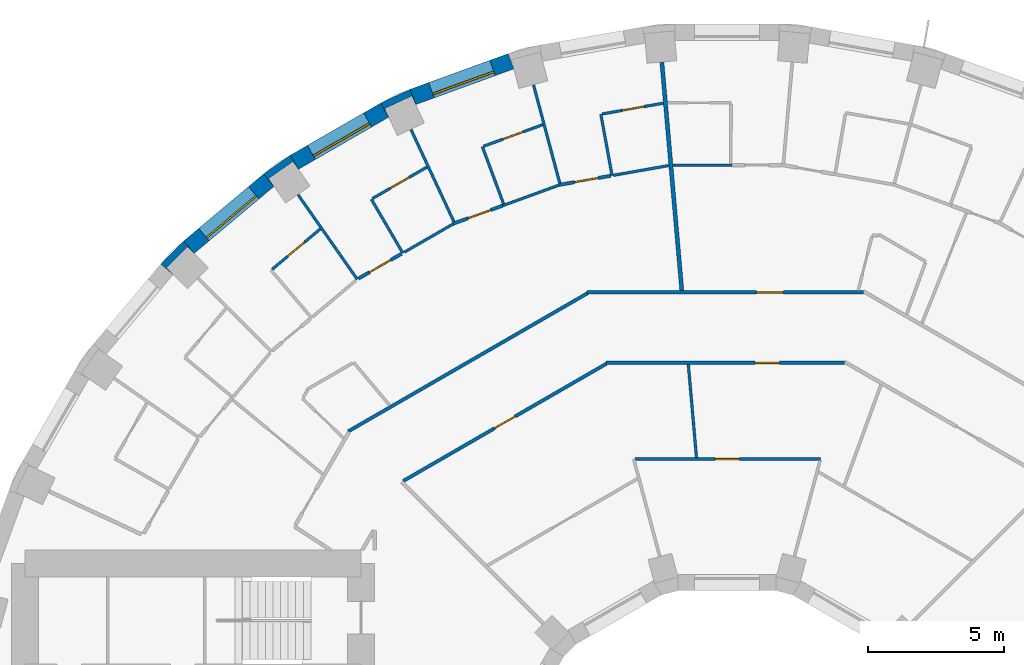
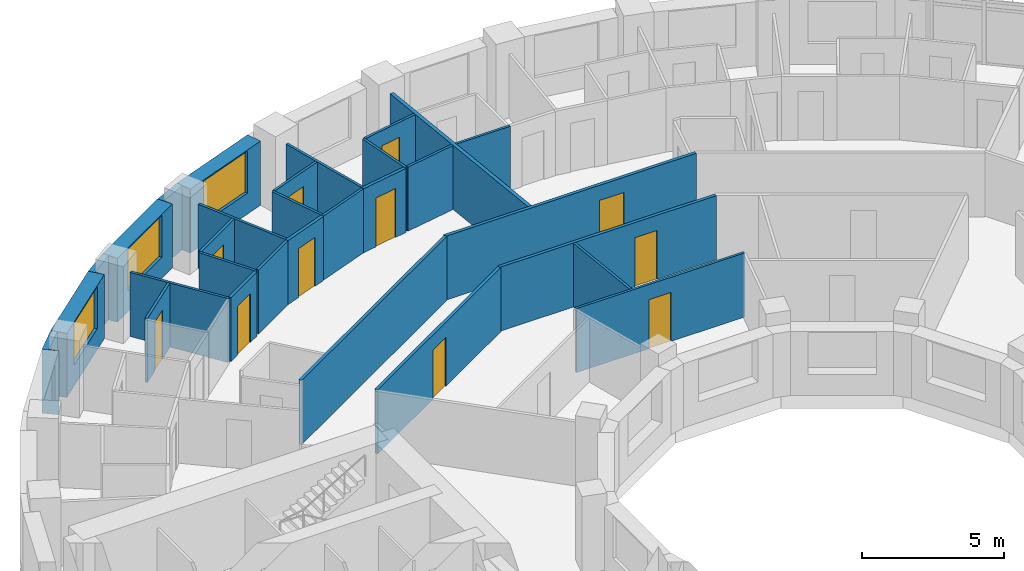
# One storey, part 11 of 15: 30 walls, 11 doors, 3 windows, 14 openings.
"""IFC4 building model written with IfcOpenShell, lengths in metres."""

from ifc_helpers import new_model, si_unit, direction, frame, frame_2d, origin, place, context, subcontext, project, spatial, polyline, rectangle, outline, extrude, material, layer, layer_set, type_object, element, fill, save


model = new_model("IFC4")

# Units and contexts
model_context = context("Model", 3, precision=1e-05, world=origin(), true_north=direction((0.0, 1.0)))
body_context = subcontext(model_context, "Body", "Model", "MODEL_VIEW")
ifc_project = project(units=[si_unit("LENGTHUNIT", "METRE"), si_unit("AREAUNIT", "SQUARE_METRE"), si_unit("VOLUMEUNIT", "CUBIC_METRE"), si_unit("PLANEANGLEUNIT", "RADIAN"), si_unit("MASSUNIT", "GRAM", prefix="KILO")], contexts=[model_context])

# Site, building, storey
site_placement = place(None, origin())
site = spatial("IfcSite", under=ifc_project, at=site_placement, CompositionType="ELEMENT")
building_placement = place(site_placement, origin())
building = spatial("IfcBuilding", under=site, at=building_placement, Name="Saqina Gate Tower", CompositionType="ELEMENT")
storey_placement = place(building_placement, frame((0.0, 0.0, 62.60009765625)))
storey = spatial("IfcBuildingStorey", under=building, at=storey_placement, Name="L17", CompositionType="ELEMENT", Elevation=62.60009765625)

# Walls
ifc_material_1 = material(Name="Brick masonry (red)", Category="masonry")
wall_type_1 = type_object("IfcWallType", Name="BRICK PIER COPING RED", PredefinedType="SOLIDWALL", material=ifc_material_1)
wall_1_placement = place(storey_placement, origin())
element("IfcWall", 1, at=wall_1_placement, inside=storey, type_object=wall_type_1, Name="Pier cap L17 column 12", PredefinedType="SOLIDWALL", context=body_context, shape_type="SweptSolid", body=[
    extrude(outline(polyline([(-12.779541015625, 25.980712890625), (-12.4794921875, 25.4609375), (-12.627685546875, 25.778564453125), (-11.630615234375, 26.243408203125), (-11.482666015625, 25.92578125), (-11.687744140625, 26.48974609375), (-12.779541015625, 25.980712890625)])), origin(), (0.0, 0.0, 1.0), 2.75),
])
wall_2_placement = place(storey_placement, origin())
element("IfcWall", 2, at=wall_2_placement, inside=storey, type_object=wall_type_1, Name="Pier cap L17 column 13", PredefinedType="SOLIDWALL", context=body_context, shape_type="SweptSolid", body=[
    extrude(outline(polyline([(-16.110107421875, 24.0576171875), (-17.096923828125, 23.36669921875), (-16.711181640625, 22.9072265625), (-16.912109375, 23.194091796875), (-16.010986328125, 23.8251953125), (-15.81005859375, 23.5380859375), (-16.110107421875, 24.0576171875)])), origin(), (0.0, 0.0, 1.0), 2.75),
])
wall_3_placement = place(storey_placement, origin())
element("IfcWall", 3, at=wall_3_placement, inside=storey, type_object=wall_type_1, Name="Pier cap L17 column 14", PredefinedType="SOLIDWALL", context=body_context, shape_type="SweptSolid", body=[
    extrude(outline(polyline([(-20.894775390625, 20.04296875), (-20.43505859375, 19.6572265625), (-20.682861328125, 19.905029296875), (-19.905029296875, 20.682861328125), (-19.6572265625, 20.43505859375), (-20.04296875, 20.894775390625), (-20.894775390625, 20.04296875)])), origin(), (0.0, 0.0, 1.0), 2.75),
])

# Wall, opening, window
ifc_material_2 = material(Name="Brick masonry (red)", Category="masonry")
ifc_layer_1 = layer(ifc_material_2, 0.60009765625)
ifc_layer_set_1 = layer_set([ifc_layer_1], Name="FW-BRICK-RED")
wall_type_2 = type_object("IfcWallType", Name="FW-BRICK-RED", PredefinedType="SOLIDWALL", material=ifc_layer_set_1)
wall_4_placement = place(storey_placement, frame((-7.97119140625, 27.523193359375, 0.0), z_axis=(0.0, 0.0, 1.0), x_axis=(-0.939689588564, -0.342028474173, 0.0)))
wall_4 = element("IfcWall", 4, at=wall_4_placement, inside=storey, type_object=wall_type_2, Name="Facade wall L17 facet 11", PredefinedType="SOLIDWALL", context=body_context, shape_type="SweptSolid", body=[
    extrude(rectangle(XDim=3.845947265625, YDim=0.60009765625, at=frame_2d((1.9228515625, 0.0))), origin(), (0.0, 0.0, 1.0), 2.75),
])
opening_1_placement = place(wall_4_placement, frame((0.722900390625, 0.0, 0.89990234375)))
opening_1 = element("IfcOpeningElement", 5, at=opening_1_placement, cuts=wall_4, Name="Opening G04-W06", PredefinedType="OPENING", context=body_context, shape_type="SweptSolid", body=[
    extrude(rectangle(XDim=2.39990234375, YDim=1.800048828125, at=frame_2d((1.199951171875, 0.89990234375))), frame((0.0, 0.31201171875, 0.0), z_axis=(0.0, -1.0, 0.0), x_axis=(1.0, 0.0, 0.0)), (0.0, 0.0, 1.0), 0.6240234375),
])
ifc_material_3 = material(Name="Aluminium glazing", Category="aluminium")
window_type = type_object("IfcWindowType", Name="WN-A", PartitioningType="SINGLE_PANEL", PredefinedType="WINDOW", material=ifc_material_3)
window_1_placement = place(opening_1_placement, origin())
window_1 = element("IfcWindow", 6, at=window_1_placement, inside=storey, type_object=window_type, Name="Window L17 facet 11", OverallHeight=1.800048828125, OverallWidth=2.39990234375, PartitioningType="SINGLE_PANEL", PredefinedType="WINDOW", context=body_context, shape_type="SweptSolid", body=[
    extrude(rectangle(XDim=2.39990234375, YDim=1.800048828125, at=frame_2d((1.199951171875, 0.89990234375))), frame((0.0, 0.179931640625, 0.0), z_axis=(0.0, -1.0, 0.0), x_axis=(1.0, 0.0, 0.0)), (0.0, 0.0, 1.0), 0.06005859375),
])
fill(opening_1, window_1)

wall_5_placement = place(storey_placement, frame((-12.629638671875, 25.720703125, 0.0), z_axis=(0.0, 0.0, 1.0), x_axis=(-0.86603124159, -0.499989888488, 0.0)))
wall_5 = element("IfcWall", 7, at=wall_5_placement, inside=storey, type_object=wall_type_2, Name="Facade wall L17 facet 12", PredefinedType="SOLIDWALL", context=body_context, shape_type="SweptSolid", body=[
    extrude(rectangle(XDim=3.845703125, YDim=0.60009765625, at=frame_2d((1.9228515625, 0.0))), origin(), (0.0, 0.0, 1.0), 2.75),
])
opening_2_placement = place(wall_5_placement, frame((0.722900390625, 0.0, 0.89990234375)))
opening_2 = element("IfcOpeningElement", 8, at=opening_2_placement, cuts=wall_5, Name="Opening G04-W07", PredefinedType="OPENING", context=body_context, shape_type="SweptSolid", body=[
    extrude(rectangle(XDim=2.39990234375, YDim=1.800048828125, at=frame_2d((1.199951171875, 0.89990234375))), frame((0.0, 0.31201171875, 0.0), z_axis=(0.0, -1.0, 0.0), x_axis=(1.0, 0.0, 0.0)), (0.0, 0.0, 1.0), 0.6240234375),
])
window_2_placement = place(opening_2_placement, origin())
window_2 = element("IfcWindow", 9, at=window_2_placement, inside=storey, type_object=window_type, Name="Window L17 facet 12", OverallHeight=1.800048828125, OverallWidth=2.39990234375, PartitioningType="SINGLE_PANEL", PredefinedType="WINDOW", context=body_context, shape_type="SweptSolid", body=[
    extrude(rectangle(XDim=2.39990234375, YDim=1.800048828125, at=frame_2d((1.199951171875, 0.89990234375))), frame((0.0, 0.179931640625, 0.0), z_axis=(0.0, -1.0, 0.0), x_axis=(1.0, 0.0, 0.0)), (0.0, 0.0, 1.0), 0.06005859375),
])
fill(opening_2, window_2)

wall_6_placement = place(storey_placement, frame((-16.904052734375, 23.136962890625, 0.0), z_axis=(0.0, 0.0, 1.0), x_axis=(-0.766026164483, -0.642809392687, 0.0)))
wall_6 = element("IfcWall", 10, at=wall_6_placement, inside=storey, type_object=wall_type_2, Name="Facade wall L17 facet 13", PredefinedType="SOLIDWALL", context=body_context, shape_type="SweptSolid", body=[
    extrude(rectangle(XDim=3.845947265625, YDim=0.60009765625, at=frame_2d((1.9228515625, 0.0))), origin(), (0.0, 0.0, 1.0), 2.75),
])
opening_3_placement = place(wall_6_placement, frame((0.722900390625, 0.0, 0.89990234375)))
opening_3 = element("IfcOpeningElement", 11, at=opening_3_placement, cuts=wall_6, Name="Opening G04-W08", PredefinedType="OPENING", context=body_context, shape_type="SweptSolid", body=[
    extrude(rectangle(XDim=2.39990234375, YDim=1.800048828125, at=frame_2d((1.199951171875, 0.89990234375))), frame((0.0, 0.31201171875, 0.0), z_axis=(0.0, -1.0, 0.0), x_axis=(1.0, 0.0, 0.0)), (0.0, 0.0, 1.0), 0.6240234375),
])
window_3_placement = place(opening_3_placement, origin())
window_3 = element("IfcWindow", 12, at=window_3_placement, inside=storey, type_object=window_type, Name="Window L17 facet 13", OverallHeight=1.800048828125, OverallWidth=2.39990234375, PartitioningType="SINGLE_PANEL", PredefinedType="WINDOW", context=body_context, shape_type="SweptSolid", body=[
    extrude(rectangle(XDim=2.39990234375, YDim=1.800048828125, at=frame_2d((1.199951171875, 0.89990234375))), frame((0.0, 0.179931640625, 0.0), z_axis=(0.0, -1.0, 0.0), x_axis=(1.0, 0.0, 0.0)), (0.0, 0.0, 1.0), 0.06005859375),
])
fill(opening_3, window_3)

# Walls
ifc_material_4 = material(Name="Gypsum board on steel studs, 100 mm", Category="steel")
ifc_layer_2 = layer(ifc_material_4, 0.10009765625)
ifc_layer_set_2 = layer_set([ifc_layer_2], Name="PARTITION 100")
wall_type_3 = type_object("IfcWallType", Name="PARTITION 100", PredefinedType="PARTITIONING", material=ifc_layer_set_2)
wall_7_placement = place(storey_placement, frame((-1.429443359375, 16.337646484375, 0.0), z_axis=(0.0, 0.0, 1.0), x_axis=(0.087231016206, -0.996188109652, 0.0)))
element("IfcWall", 13, at=wall_7_placement, inside=storey, type_object=wall_type_3, Name="PARTITION PW3-04", PredefinedType="PARTITIONING", context=body_context, shape_type="SweptSolid", body=[
    extrude(rectangle(XDim=3.450927734375, YDim=0.10009765625, at=frame_2d((1.7255859375, 0.0))), origin(), (0.0, 0.0, 1.0), 2.75),
])
wall_8_placement = place(storey_placement, frame((-4.656005859375, 25.570068359375, 0.0), z_axis=(0.0, 0.0, 1.0), x_axis=(0.179165642613, -0.983818922621, 0.0)))
element("IfcWall", 14, at=wall_8_placement, inside=storey, type_object=wall_type_3, Name="PARTITION PW3-08", PredefinedType="PARTITIONING", context=body_context, shape_type="SweptSolid", body=[
    extrude(rectangle(XDim=2.300048828125, YDim=0.10009765625, at=frame_2d((1.14990234375, 0.0))), origin(), (0.0, 0.0, 1.0), 2.75),
])
wall_9_placement = place(storey_placement, frame((-7.139404296875, 26.650146484375, 0.0), z_axis=(0.0, 0.0, 1.0), x_axis=(0.258074907141, -0.966124910301, 0.0)))
element("IfcWall", 15, at=wall_9_placement, inside=storey, type_object=wall_type_3, Name="PARTITION PW3-09", PredefinedType="PARTITIONING", context=body_context, shape_type="SweptSolid", body=[
    extrude(rectangle(XDim=3.759521484375, YDim=0.10009765625, at=frame_2d((1.8798828125, 0.0))), origin(), (0.0, 0.0, 1.0), 2.75),
])
wall_10_placement = place(storey_placement, frame((-9.02587890625, 24.3720703125, 0.0), z_axis=(0.0, 0.0, 1.0), x_axis=(0.347445153589, -0.937700306733, 0.0)))
element("IfcWall", 16, at=wall_10_placement, inside=storey, type_object=wall_type_3, Name="PARTITION PW3-14", PredefinedType="PARTITIONING", context=body_context, shape_type="SweptSolid", body=[
    extrude(rectangle(XDim=2.249267578125, YDim=0.10009765625, at=frame_2d((1.12451171875, 0.0))), origin(), (0.0, 0.0, 1.0), 2.75),
])
wall_11_placement = place(storey_placement, frame((-11.65966796875, 25.005126953125, 0.0), z_axis=(0.0, 0.0, 1.0), x_axis=(0.422316636066, -0.906448376303, 0.0)))
element("IfcWall", 17, at=wall_11_placement, inside=storey, type_object=wall_type_3, Name="PARTITION PW3-15", PredefinedType="PARTITIONING", context=body_context, shape_type="SweptSolid", body=[
    extrude(rectangle(XDim=3.760009765625, YDim=0.10009765625, at=frame_2d((1.8798828125, 0.0))), origin(), (0.0, 0.0, 1.0), 2.75),
])
wall_12_placement = place(storey_placement, frame((-13.12109375, 22.43505859375, 0.0), z_axis=(0.0, 0.0, 1.0), x_axis=(0.504708754908, -0.863289680651, 0.0)))
element("IfcWall", 18, at=wall_12_placement, inside=storey, type_object=wall_type_3, Name="PARTITION PW3-17", PredefinedType="PARTITIONING", context=body_context, shape_type="SweptSolid", body=[
    extrude(rectangle(XDim=2.300537109375, YDim=0.10009765625, at=frame_2d((1.150390625, 0.0))), origin(), (0.0, 0.0, 1.0), 2.75),
])
wall_13_placement = place(storey_placement, frame((-15.824951171875, 22.6005859375, 0.0), z_axis=(0.0, 0.0, 1.0), x_axis=(0.573574167811, -0.819153632733, 0.0)))
element("IfcWall", 19, at=wall_13_placement, inside=storey, type_object=wall_type_3, Name="PARTITION PW3-19", PredefinedType="PARTITIONING", context=body_context, shape_type="SweptSolid", body=[
    extrude(rectangle(XDim=3.8095703125, YDim=0.10009765625, at=frame_2d((1.90478515625, 0.0))), origin(), (0.0, 0.0, 1.0), 2.75),
])

# Wall, opening, door
wall_14_placement = place(storey_placement, frame((-3.39306640625, 12.85009765625, 0.0), z_axis=(0.0, 0.0, 1.0), x_axis=(1.0, 0.0, 0.0)))
wall_14 = element("IfcWall", 20, at=wall_14_placement, inside=storey, type_object=wall_type_3, Name="PARTITION PW3-59", PredefinedType="PARTITIONING", context=body_context, shape_type="SweptSolid", body=[
    extrude(rectangle(XDim=6.836181640625, YDim=0.10009765625, at=frame_2d((3.41796875, 0.0))), origin(), (0.0, 0.0, 1.0), 2.75),
])
opening_4_placement = place(wall_14_placement, frame((2.943115234375, 0.0, 0.0)))
opening_4 = element("IfcOpeningElement", 21, at=opening_4_placement, cuts=wall_14, Name="Opening G04-D18", PredefinedType="OPENING", context=body_context, shape_type="SweptSolid", body=[
    extrude(rectangle(XDim=0.89990234375, YDim=2.10009765625, at=frame_2d((0.449951171875, 1.050048828125))), frame((0.0, 0.06201171875, 0.0), z_axis=(0.0, -1.0, 0.0), x_axis=(1.0, 0.0, 0.0)), (0.0, 0.0, 1.0), 0.1240234375),
])
ifc_material_5 = material(Name="Timber door leaf, 900 mm", Category="wood")
door_type_1 = type_object("IfcDoorType", Name="DOOR 900 TIMBER", OperationType="SINGLE_SWING_LEFT", PredefinedType="DOOR", material=ifc_material_5)
door_1_placement = place(opening_4_placement, frame((0.89990234375, 0.0, 0.0), z_axis=(0.0, 0.0, 1.0), x_axis=(-1.0, 0.0, 0.0)))
door_1 = element("IfcDoor", 22, at=door_1_placement, inside=storey, type_object=door_type_1, Name="DOOR G04-D18", OperationType="SINGLE_SWING_RIGHT", OverallHeight=2.10009765625, OverallWidth=0.89990234375, PredefinedType="DOOR", context=body_context, shape_type="SweptSolid", body=[
    extrude(rectangle(XDim=0.89990234375, YDim=2.10009765625, at=frame_2d((0.449951171875, 1.050048828125))), frame((0.0, 0.02490234375, 0.0), z_axis=(0.0, -1.0, 0.0), x_axis=(1.0, 0.0, 0.0)), (0.0, 0.0, 1.0), 0.050048828125),
])
fill(opening_4, door_1)

# Walls
wall_15_placement = place(storey_placement, frame((-1.998046875, 23.68994140625, 0.0), z_axis=(0.0, 0.0, 1.0), x_axis=(1.0, 0.0, 0.0)))
element("IfcWall", 23, at=wall_15_placement, inside=storey, type_object=wall_type_3, Name="PARTITION PW3-61", PredefinedType="PARTITIONING", context=body_context, shape_type="SweptSolid", body=[
    extrude(rectangle(XDim=2.18115234375, YDim=0.10009765625, at=frame_2d((1.090576171875, 0.0))), origin(), (0.0, 0.0, 1.0), 2.75),
])
wall_16_placement = place(storey_placement, frame((-4.19482421875, 23.315673828125, 0.0), z_axis=(0.0, 0.0, 1.0), x_axis=(0.984788286148, 0.173758543574, 0.0)))
element("IfcWall", 24, at=wall_16_placement, inside=storey, type_object=wall_type_3, Name="PARTITION PW3-65", PredefinedType="PARTITIONING", context=body_context, shape_type="SweptSolid", body=[
    extrude(rectangle(XDim=2.07958984375, YDim=0.10009765625, at=frame_2d((1.039794921875, 0.0))), origin(), (0.0, 0.0, 1.0), 2.75),
])

# Wall, opening, door
wall_17_placement = place(storey_placement, frame((-4.606689453125, 25.57861328125, 0.0), z_axis=(0.0, 0.0, 1.0), x_axis=(0.984796414822, 0.173712467465, 0.0)))
wall_17 = element("IfcWall", 25, at=wall_17_placement, inside=storey, type_object=wall_type_3, Name="PARTITION PW3-66", PredefinedType="PARTITIONING", context=body_context, shape_type="SweptSolid", body=[
    extrude(rectangle(XDim=2.293701171875, YDim=0.10009765625, at=frame_2d((1.14697265625, 0.0))), origin(), (0.0, 0.0, 1.0), 2.75),
])
opening_5_placement = place(wall_17_placement, frame((0.759521484375, 0.0, 0.0)))
opening_5 = element("IfcOpeningElement", 26, at=opening_5_placement, cuts=wall_17, Name="Opening G04-D20", PredefinedType="OPENING", context=body_context, shape_type="SweptSolid", body=[
    extrude(rectangle(XDim=0.800048828125, YDim=2.10009765625, at=frame_2d((0.39990234375, 1.050048828125))), frame((0.0, 0.06201171875, 0.0), z_axis=(0.0, -1.0, 0.0), x_axis=(1.0, 0.0, 0.0)), (0.0, 0.0, 1.0), 0.1240234375),
])
ifc_material_6 = material(Name="Timber door leaf, 800 mm", Category="wood")
door_type_2 = type_object("IfcDoorType", Name="DOOR 800 TIMBER", OperationType="SINGLE_SWING_LEFT", PredefinedType="DOOR", material=ifc_material_6)
door_2_placement = place(opening_5_placement, origin())
door_2 = element("IfcDoor", 27, at=door_2_placement, inside=storey, type_object=door_type_2, Name="DOOR G04-D20", OperationType="SINGLE_SWING_RIGHT", OverallHeight=2.10009765625, OverallWidth=0.800048828125, PredefinedType="DOOR", context=body_context, shape_type="SweptSolid", body=[
    extrude(rectangle(XDim=0.800048828125, YDim=2.10009765625, at=frame_2d((0.39990234375, 1.050048828125))), frame((0.0, 0.02490234375, 0.0), z_axis=(0.0, -1.0, 0.0), x_axis=(1.0, 0.0, 0.0)), (0.0, 0.0, 1.0), 0.050048828125),
])
fill(opening_5, door_2)

# Wall
wall_18_placement = place(storey_placement, frame((-8.27392578125, 22.19873046875, 0.0), z_axis=(0.0, 0.0, 1.0), x_axis=(0.939712116987, 0.341966573204, 0.0)))
element("IfcWall", 28, at=wall_18_placement, inside=storey, type_object=wall_type_3, Name="PARTITION PW3-69", PredefinedType="PARTITIONING", context=body_context, shape_type="SweptSolid", body=[
    extrude(rectangle(XDim=2.1923828125, YDim=0.10009765625, at=frame_2d((1.09619140625, 0.0))), origin(), (0.0, 0.0, 1.0), 2.75),
])

# Wall, opening, door
wall_19_placement = place(storey_placement, frame((-8.97900390625, 24.38916015625, 0.0), z_axis=(0.0, 0.0, 1.0), x_axis=(0.93967659433, 0.342064172443, 0.0)))
wall_19 = element("IfcWall", 29, at=wall_19_placement, inside=storey, type_object=wall_type_3, Name="PARTITION PW3-70", PredefinedType="PARTITIONING", context=body_context, shape_type="SweptSolid", body=[
    extrude(rectangle(XDim=2.319580078125, YDim=0.10009765625, at=frame_2d((1.15966796875, 0.0))), origin(), (0.0, 0.0, 1.0), 2.75),
])
opening_6_placement = place(wall_19_placement, frame((0.760009765625, 0.0, 0.0)))
opening_6 = element("IfcOpeningElement", 30, at=opening_6_placement, cuts=wall_19, Name="Opening G04-D22", PredefinedType="OPENING", context=body_context, shape_type="SweptSolid", body=[
    extrude(rectangle(XDim=0.800048828125, YDim=2.10009765625, at=frame_2d((0.39990234375, 1.050048828125))), frame((0.0, 0.06201171875, 0.0), z_axis=(0.0, -1.0, 0.0), x_axis=(1.0, 0.0, 0.0)), (0.0, 0.0, 1.0), 0.1240234375),
])
door_3_placement = place(opening_6_placement, origin())
door_3 = element("IfcDoor", 31, at=door_3_placement, inside=storey, type_object=door_type_2, Name="DOOR G04-D22", OperationType="SINGLE_SWING_RIGHT", OverallHeight=2.10009765625, OverallWidth=0.800048828125, PredefinedType="DOOR", context=body_context, shape_type="SweptSolid", body=[
    extrude(rectangle(XDim=0.800048828125, YDim=2.10009765625, at=frame_2d((0.39990234375, 1.050048828125))), frame((0.0, 0.02490234375, 0.0), z_axis=(0.0, -1.0, 0.0), x_axis=(1.0, 0.0, 0.0)), (0.0, 0.0, 1.0), 0.050048828125),
])
fill(opening_6, door_3)

# Wall
wall_20_placement = place(storey_placement, frame((-11.90576171875, 20.480224609375, 0.0), z_axis=(0.0, 0.0, 1.0), x_axis=(0.865966712092, 0.500101643217, 0.0)))
element("IfcWall", 32, at=wall_20_placement, inside=storey, type_object=wall_type_3, Name="PARTITION PW3-77", PredefinedType="PARTITIONING", context=body_context, shape_type="SweptSolid", body=[
    extrude(rectangle(XDim=2.08056640625, YDim=0.10009765625, at=frame_2d((1.040283203125, 0.0))), origin(), (0.0, 0.0, 1.0), 2.75),
])

# Wall, opening, door
wall_21_placement = place(storey_placement, frame((-13.07763671875, 22.4599609375, 0.0), z_axis=(0.0, 0.0, 1.0), x_axis=(0.865947141423, 0.500135529893, 0.0)))
wall_21 = element("IfcWall", 33, at=wall_21_placement, inside=storey, type_object=wall_type_3, Name="PARTITION PW3-78", PredefinedType="PARTITIONING", context=body_context, shape_type="SweptSolid", body=[
    extrude(rectangle(XDim=2.319091796875, YDim=0.10009765625, at=frame_2d((1.15966796875, 0.0))), origin(), (0.0, 0.0, 1.0), 2.75),
])
opening_7_placement = place(wall_21_placement, frame((0.759765625, 0.0, 0.0)))
opening_7 = element("IfcOpeningElement", 34, at=opening_7_placement, cuts=wall_21, Name="Opening G04-D24", PredefinedType="OPENING", context=body_context, shape_type="SweptSolid", body=[
    extrude(rectangle(XDim=0.800048828125, YDim=2.10009765625, at=frame_2d((0.39990234375, 1.050048828125))), frame((0.0, 0.06201171875, 0.0), z_axis=(0.0, -1.0, 0.0), x_axis=(1.0, 0.0, 0.0)), (0.0, 0.0, 1.0), 0.1240234375),
])
door_4_placement = place(opening_7_placement, origin())
door_4 = element("IfcDoor", 35, at=door_4_placement, inside=storey, type_object=door_type_2, Name="DOOR G04-D24", OperationType="SINGLE_SWING_RIGHT", OverallHeight=2.10009765625, OverallWidth=0.800048828125, PredefinedType="DOOR", context=body_context, shape_type="SweptSolid", body=[
    extrude(rectangle(XDim=0.800048828125, YDim=2.10009765625, at=frame_2d((0.39990234375, 1.050048828125))), frame((0.0, 0.02490234375, 0.0), z_axis=(0.0, -1.0, 0.0), x_axis=(1.0, 0.0, 0.0)), (0.0, 0.0, 1.0), 0.050048828125),
])
fill(opening_7, door_4)

wall_22_placement = place(storey_placement, frame((-16.77880859375, 19.84814453125, 0.0), z_axis=(0.0, 0.0, 1.0), x_axis=(0.766051078848, 0.642779701449, 0.0)))
wall_22 = element("IfcWall", 36, at=wall_22_placement, inside=storey, type_object=wall_type_3, Name="PARTITION PW3-82", PredefinedType="PARTITIONING", context=body_context, shape_type="SweptSolid", body=[
    extrude(rectangle(XDim=2.319091796875, YDim=0.10009765625, at=frame_2d((1.15966796875, 0.0))), origin(), (0.0, 0.0, 1.0), 2.75),
])
opening_8_placement = place(wall_22_placement, frame((0.759521484375, 0.0, 0.0)))
opening_8 = element("IfcOpeningElement", 37, at=opening_8_placement, cuts=wall_22, Name="Opening G04-D28", PredefinedType="OPENING", context=body_context, shape_type="SweptSolid", body=[
    extrude(rectangle(XDim=0.800048828125, YDim=2.10009765625, at=frame_2d((0.39990234375, 1.050048828125))), frame((0.0, 0.06201171875, 0.0), z_axis=(0.0, -1.0, 0.0), x_axis=(1.0, 0.0, 0.0)), (0.0, 0.0, 1.0), 0.1240234375),
])
door_5_placement = place(opening_8_placement, origin())
door_5 = element("IfcDoor", 38, at=door_5_placement, inside=storey, type_object=door_type_2, Name="DOOR G04-D28", OperationType="SINGLE_SWING_LEFT", OverallHeight=2.10009765625, OverallWidth=0.800048828125, PredefinedType="DOOR", context=body_context, shape_type="SweptSolid", body=[
    extrude(rectangle(XDim=0.800048828125, YDim=2.10009765625, at=frame_2d((0.39990234375, 1.050048828125))), frame((0.0, 0.02490234375, 0.0), z_axis=(0.0, -1.0, 0.0), x_axis=(1.0, 0.0, 0.0)), (0.0, 0.0, 1.0), 0.050048828125),
])
fill(opening_8, door_5)

ifc_material_7 = material(Name="Gypsum board on steel studs, 125 mm, fire rated", Category="steel")
ifc_layer_3 = layer(ifc_material_7, 0.125)
ifc_layer_set_3 = layer_set([ifc_layer_3], Name="PARTITION EI 30 125")
wall_type_4 = type_object("IfcWallType", Name="PARTITION EI 30 125", PredefinedType="PARTITIONING", material=ifc_layer_set_3)
wall_23_placement = place(storey_placement, frame((-4.466064453125, 16.39990234375, 0.0), z_axis=(0.0, 0.0, 1.0), x_axis=(1.0, 0.0, 0.0)))
wall_23 = element("IfcWall", 39, at=wall_23_placement, inside=storey, type_object=wall_type_4, Name="PARTITION PW1-24", PredefinedType="PARTITIONING", context=body_context, shape_type="SweptSolid", body=[
    extrude(rectangle(XDim=8.797607421875, YDim=0.125, at=frame_2d((4.39892578125, 0.0))), origin(), (0.0, 0.0, 1.0), 2.75),
])
opening_9_placement = place(wall_23_placement, frame((5.49560546875, 0.0, 0.0)))
opening_9 = element("IfcOpeningElement", 40, at=opening_9_placement, cuts=wall_23, Name="Opening G04-D15", PredefinedType="OPENING", context=body_context, shape_type="SweptSolid", body=[
    extrude(rectangle(XDim=0.89990234375, YDim=2.10009765625, at=frame_2d((0.449951171875, 1.050048828125))), frame((0.0, 0.074462890625, 0.0), z_axis=(0.0, -1.0, 0.0), x_axis=(1.0, 0.0, 0.0)), (0.0, 0.0, 1.0), 0.14892578125),
])
ifc_material_8 = material(Name="Fire door leaf EI 30, 900 mm")
door_type_3 = type_object("IfcDoorType", Name="DOOR 900 EI 30", OperationType="SINGLE_SWING_LEFT", PredefinedType="DOOR", material=ifc_material_8)
door_6_placement = place(opening_9_placement, frame((0.89990234375, 0.0, 0.0), z_axis=(0.0, 0.0, 1.0), x_axis=(-1.0, 0.0, 0.0)))
door_6 = element("IfcDoor", 41, at=door_6_placement, inside=storey, type_object=door_type_3, Name="DOOR G04-D15", OperationType="SINGLE_SWING_LEFT", OverallHeight=2.10009765625, OverallWidth=0.89990234375, PredefinedType="DOOR", context=body_context, shape_type="SweptSolid", body=[
    extrude(rectangle(XDim=0.89990234375, YDim=2.10009765625, at=frame_2d((0.449951171875, 1.050048828125))), frame((0.0, 0.02490234375, 0.0), z_axis=(0.0, -1.0, 0.0), x_axis=(1.0, 0.0, 0.0)), (0.0, 0.0, 1.0), 0.050048828125),
])
fill(opening_9, door_6)

wall_24_placement = place(storey_placement, frame((-5.1630859375, 19.0, 0.0), z_axis=(0.0, 0.0, 1.0), x_axis=(1.0, 0.0, 0.0)))
wall_24 = element("IfcWall", 42, at=wall_24_placement, inside=storey, type_object=wall_type_4, Name="PARTITION PW1-25", PredefinedType="PARTITIONING", context=body_context, shape_type="SweptSolid", body=[
    extrude(rectangle(XDim=10.191650390625, YDim=0.125, at=frame_2d((5.095703125, 0.0))), origin(), (0.0, 0.0, 1.0), 2.75),
])
opening_10_placement = place(wall_24_placement, frame((6.24169921875, 0.0, 0.0)))
opening_10 = element("IfcOpeningElement", 43, at=opening_10_placement, cuts=wall_24, Name="Opening G04-D16", PredefinedType="OPENING", context=body_context, shape_type="SweptSolid", body=[
    extrude(rectangle(XDim=1.0, YDim=2.10009765625, at=frame_2d((0.5, 1.050048828125))), frame((0.0, 0.074462890625, 0.0), z_axis=(0.0, -1.0, 0.0), x_axis=(1.0, 0.0, 0.0)), (0.0, 0.0, 1.0), 0.14892578125),
])
ifc_material_9 = material(Name="Fire door leaf EI 30, 1000 mm")
door_type_4 = type_object("IfcDoorType", Name="DOOR 1000 EI 30", OperationType="SINGLE_SWING_LEFT", PredefinedType="DOOR", material=ifc_material_9)
door_7_placement = place(opening_10_placement, origin())
door_7 = element("IfcDoor", 44, at=door_7_placement, inside=storey, type_object=door_type_4, Name="DOOR G04-D16", OperationType="SINGLE_SWING_RIGHT", OverallHeight=2.10009765625, OverallWidth=1.0, PredefinedType="DOOR", context=body_context, shape_type="SweptSolid", body=[
    extrude(rectangle(XDim=1.0, YDim=2.10009765625, at=frame_2d((0.5, 1.050048828125))), frame((0.0, 0.02490234375, 0.0), z_axis=(0.0, -1.0, 0.0), x_axis=(1.0, 0.0, 0.0)), (0.0, 0.0, 1.0), 0.050048828125),
])
fill(opening_10, door_7)

wall_25_placement = place(storey_placement, frame((-6.217529296875, 22.958984375, 0.0), z_axis=(0.0, 0.0, 1.0), x_axis=(0.984803677322, 0.173671290469, 0.0)))
wall_25 = element("IfcWall", 45, at=wall_25_placement, inside=storey, type_object=wall_type_4, Name="PARTITION PW1-28", PredefinedType="PARTITIONING", context=body_context, shape_type="SweptSolid", body=[
    extrude(rectangle(XDim=1.9541015625, YDim=0.125, at=frame_2d((0.97705078125, 0.0))), origin(), (0.0, 0.0, 1.0), 2.75),
])
opening_11_placement = place(wall_25_placement, frame((0.583740234375, 0.0, 0.0)))
opening_11 = element("IfcOpeningElement", 46, at=opening_11_placement, cuts=wall_25, Name="Opening G04-D21", PredefinedType="OPENING", context=body_context, shape_type="SweptSolid", body=[
    extrude(rectangle(XDim=0.89990234375, YDim=2.10009765625, at=frame_2d((0.449951171875, 1.050048828125))), frame((0.0, 0.074462890625, 0.0), z_axis=(0.0, -1.0, 0.0), x_axis=(1.0, 0.0, 0.0)), (0.0, 0.0, 1.0), 0.14892578125),
])
door_8_placement = place(opening_11_placement, frame((0.89990234375, 0.0, 0.0), z_axis=(0.0, 0.0, 1.0), x_axis=(-1.0, 0.0, 0.0)))
door_8 = element("IfcDoor", 47, at=door_8_placement, inside=storey, type_object=door_type_3, Name="DOOR G04-D21", OperationType="SINGLE_SWING_RIGHT", OverallHeight=2.10009765625, OverallWidth=0.89990234375, PredefinedType="DOOR", context=body_context, shape_type="SweptSolid", body=[
    extrude(rectangle(XDim=0.89990234375, YDim=2.10009765625, at=frame_2d((0.449951171875, 1.050048828125))), frame((0.0, 0.02490234375, 0.0), z_axis=(0.0, -1.0, 0.0), x_axis=(1.0, 0.0, 0.0)), (0.0, 0.0, 1.0), 0.050048828125),
])
fill(opening_11, door_8)

wall_26_placement = place(storey_placement, frame((-10.109619140625, 21.5302734375, 0.0), z_axis=(0.0, 0.0, 1.0), x_axis=(0.939599898996, 0.342274786986, 0.0)))
wall_26 = element("IfcWall", 48, at=wall_26_placement, inside=storey, type_object=wall_type_4, Name="PARTITION PW1-30", PredefinedType="PARTITIONING", context=body_context, shape_type="SweptSolid", body=[
    extrude(rectangle(XDim=1.95361328125, YDim=0.125, at=frame_2d((0.976806640625, 0.0))), origin(), (0.0, 0.0, 1.0), 2.75),
])
opening_12_placement = place(wall_26_placement, frame((0.58349609375, 0.0, 0.0)))
opening_12 = element("IfcOpeningElement", 49, at=opening_12_placement, cuts=wall_26, Name="Opening G04-D23", PredefinedType="OPENING", context=body_context, shape_type="SweptSolid", body=[
    extrude(rectangle(XDim=0.89990234375, YDim=2.10009765625, at=frame_2d((0.449951171875, 1.050048828125))), frame((0.0, 0.074462890625, 0.0), z_axis=(0.0, -1.0, 0.0), x_axis=(1.0, 0.0, 0.0)), (0.0, 0.0, 1.0), 0.14892578125),
])
door_9_placement = place(opening_12_placement, frame((0.89990234375, 0.0, 0.0), z_axis=(0.0, 0.0, 1.0), x_axis=(-1.0, 0.0, 0.0)))
door_9 = element("IfcDoor", 50, at=door_9_placement, inside=storey, type_object=door_type_3, Name="DOOR G04-D23", OperationType="SINGLE_SWING_RIGHT", OverallHeight=2.10009765625, OverallWidth=0.89990234375, PredefinedType="DOOR", context=body_context, shape_type="SweptSolid", body=[
    extrude(rectangle(XDim=0.89990234375, YDim=2.10009765625, at=frame_2d((0.449951171875, 1.050048828125))), frame((0.0, 0.02490234375, 0.0), z_axis=(0.0, -1.0, 0.0), x_axis=(1.0, 0.0, 0.0)), (0.0, 0.0, 1.0), 0.050048828125),
])
fill(opening_12, door_9)

wall_27_placement = place(storey_placement, frame((-13.59716796875, 19.506103515625, 0.0), z_axis=(0.0, 0.0, 1.0), x_axis=(0.866538954681, 0.499109446936, 0.0)))
wall_27 = element("IfcWall", 51, at=wall_27_placement, inside=storey, type_object=wall_type_4, Name="PARTITION PW1-32", PredefinedType="PARTITIONING", context=body_context, shape_type="SweptSolid", body=[
    extrude(rectangle(XDim=1.839111328125, YDim=0.125, at=frame_2d((0.91943359375, 0.0))), origin(), (0.0, 0.0, 1.0), 2.75),
])
opening_13_placement = place(wall_27_placement, frame((0.4697265625, 0.0, 0.0)))
opening_13 = element("IfcOpeningElement", 52, at=opening_13_placement, cuts=wall_27, Name="Opening G04-D27", PredefinedType="OPENING", context=body_context, shape_type="SweptSolid", body=[
    extrude(rectangle(XDim=0.89990234375, YDim=2.10009765625, at=frame_2d((0.449951171875, 1.050048828125))), frame((0.0, 0.074462890625, 0.0), z_axis=(0.0, -1.0, 0.0), x_axis=(1.0, 0.0, 0.0)), (0.0, 0.0, 1.0), 0.14892578125),
])
door_10_placement = place(opening_13_placement, frame((0.89990234375, 0.0, 0.0), z_axis=(0.0, 0.0, 1.0), x_axis=(-1.0, 0.0, 0.0)))
door_10 = element("IfcDoor", 53, at=door_10_placement, inside=storey, type_object=door_type_3, Name="DOOR G04-D27", OperationType="SINGLE_SWING_RIGHT", OverallHeight=2.10009765625, OverallWidth=0.89990234375, PredefinedType="DOOR", context=body_context, shape_type="SweptSolid", body=[
    extrude(rectangle(XDim=0.89990234375, YDim=2.10009765625, at=frame_2d((0.449951171875, 1.050048828125))), frame((0.0, 0.02490234375, 0.0), z_axis=(0.0, -1.0, 0.0), x_axis=(1.0, 0.0, 0.0)), (0.0, 0.0, 1.0), 0.050048828125),
])
fill(opening_13, door_10)

wall_28_placement = place(storey_placement, frame((-11.951904296875, 12.037353515625, 0.0), z_axis=(0.0, 0.0, 1.0), x_axis=(0.866072505035, 0.499918409365, 0.0)))
wall_28 = element("IfcWall", 54, at=wall_28_placement, inside=storey, type_object=wall_type_4, Name="PARTITION PW1-35", PredefinedType="PARTITIONING", context=body_context, shape_type="SweptSolid", body=[
    extrude(rectangle(XDim=8.6640625, YDim=0.125, at=frame_2d((4.33203125, 0.0))), origin(), (0.0, 0.0, 1.0), 2.75),
])
opening_14_placement = place(wall_28_placement, frame((3.882080078125, 0.0, 0.0)))
opening_14 = element("IfcOpeningElement", 55, at=opening_14_placement, cuts=wall_28, Name="Opening G04-D26", PredefinedType="OPENING", context=body_context, shape_type="SweptSolid", body=[
    extrude(rectangle(XDim=0.89990234375, YDim=2.10009765625, at=frame_2d((0.449951171875, 1.050048828125))), frame((0.0, 0.074462890625, 0.0), z_axis=(0.0, -1.0, 0.0), x_axis=(1.0, 0.0, 0.0)), (0.0, 0.0, 1.0), 0.14892578125),
])
door_11_placement = place(opening_14_placement, frame((0.89990234375, 0.0, 0.0), z_axis=(0.0, 0.0, 1.0), x_axis=(-1.0, 0.0, 0.0)))
door_11 = element("IfcDoor", 56, at=door_11_placement, inside=storey, type_object=door_type_3, Name="DOOR G04-D26", OperationType="SINGLE_SWING_LEFT", OverallHeight=2.10009765625, OverallWidth=0.89990234375, PredefinedType="DOOR", context=body_context, shape_type="SweptSolid", body=[
    extrude(rectangle(XDim=0.89990234375, YDim=2.10009765625, at=frame_2d((0.449951171875, 1.050048828125))), frame((0.0, 0.02490234375, 0.0), z_axis=(0.0, -1.0, 0.0), x_axis=(1.0, 0.0, 0.0)), (0.0, 0.0, 1.0), 0.050048828125),
])
fill(opening_14, door_11)

# Walls
wall_29_placement = place(storey_placement, frame((-13.971435546875, 13.872802734375, 0.0), z_axis=(0.0, 0.0, 1.0), x_axis=(0.866024825845, 0.50000100102, 0.0)))
element("IfcWall", 57, at=wall_29_placement, inside=storey, type_object=wall_type_4, Name="PARTITION PW1-36", PredefinedType="PARTITIONING", context=body_context, shape_type="SweptSolid", body=[
    extrude(rectangle(XDim=10.19189453125, YDim=0.125, at=frame_2d((5.095947265625, 0.0))), origin(), (0.0, 0.0, 1.0), 2.75),
])
ifc_material_10 = material(Name="Gypsum board on steel studs, 150 mm, fire rated", Category="steel")
ifc_layer_4 = layer(ifc_material_10, 0.14990234375)
ifc_layer_set_4 = layer_set([ifc_layer_4], Name="PARTITION EI 60 150")
wall_type_5 = type_object("IfcWallType", Name="PARTITION EI 60 150", PredefinedType="PARTITIONING", material=ifc_layer_set_4)
wall_30_placement = place(storey_placement, frame((-2.404541015625, 27.485107421875, 0.0), z_axis=(0.0, 0.0, 1.0), x_axis=(0.086942360441, -0.996213343597, 0.0)))
element("IfcWall", 58, at=wall_30_placement, inside=storey, type_object=wall_type_5, Name="PARTITION PW2-01", PredefinedType="PARTITIONING", context=body_context, shape_type="SweptSolid", body=[
    extrude(rectangle(XDim=8.455078125, YDim=0.14990234375, at=frame_2d((4.2275390625, 0.0))), origin(), (0.0, 0.0, 1.0), 2.75),
])

save(model, "model.ifc")
